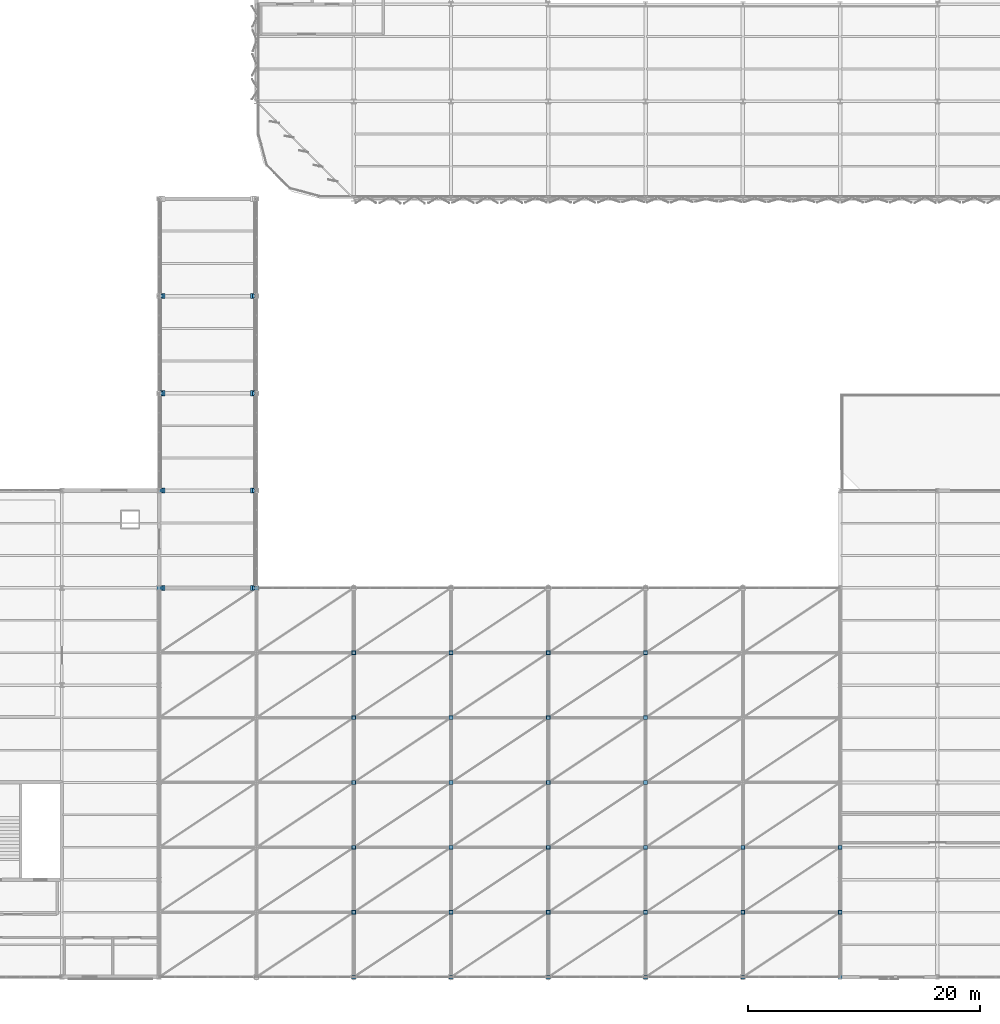
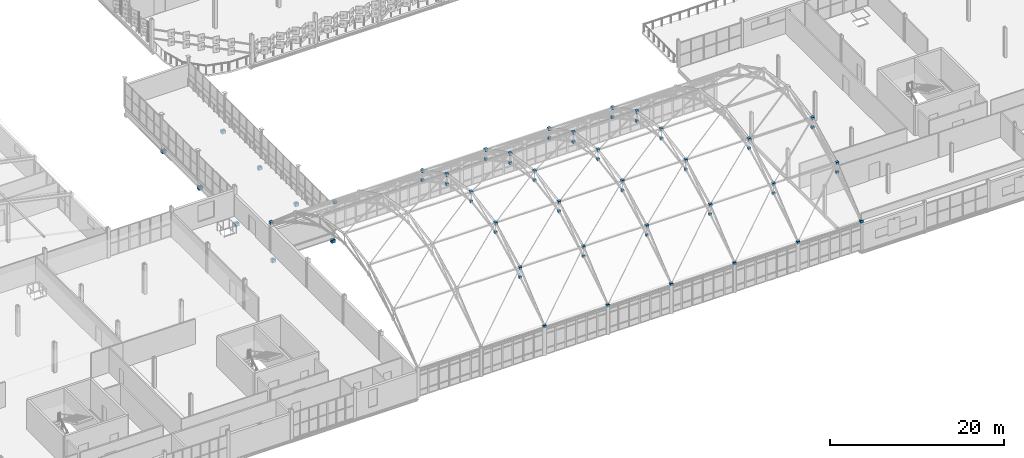
# One storey, part 165 of 184: 72 discrete accessories.
"""IFC4 building model written with IfcOpenShell, lengths in metres."""

from ifc_helpers import new_model, si_unit, direction, frame, origin, origin_2d, place, context, subcontext, project, spatial, rectangle, extrude, material, type_object, element, save


model = new_model("IFC4")

# Units and contexts
model_context = context("Model", 3, precision=1e-05, world=origin(), true_north=direction((0.0, 1.0)))
body_context = subcontext(model_context, "Body", "Model", "MODEL_VIEW")
ifc_project = project(units=[si_unit("LENGTHUNIT", "METRE"), si_unit("AREAUNIT", "SQUARE_METRE"), si_unit("VOLUMEUNIT", "CUBIC_METRE"), si_unit("PLANEANGLEUNIT", "RADIAN"), si_unit("MASSUNIT", "GRAM", prefix="KILO")], contexts=[model_context])

# Site, building, storey
site_placement = place(None, origin())
site = spatial("IfcSite", under=ifc_project, at=site_placement, CompositionType="ELEMENT")
building_placement = place(site_placement, origin())
building = spatial("IfcBuilding", under=site, at=building_placement, Name="Qalvenar Corner Mobility Hub", CompositionType="ELEMENT")
storey_placement = place(building_placement, frame((0.0, 0.0, 9.0)))
storey = spatial("IfcBuildingStorey", under=building, at=storey_placement, Name="L02", CompositionType="ELEMENT", Elevation=9.0)

# Discrete accessories
ifc_material = material(Name="Steel S355", Category="steel")
discrete_accessory_type_1 = type_object("IfcDiscreteAccessoryType", Name="ACC-BRG-CORBEL", PredefinedType="SHOE", material=ifc_material)
for number, where, z_axis, x_axis, name in (
    (1, (50.64990234375, 33.60009765625, -1.530029296875), (0.0, 0.0, 1.0), (1.0, 0.0, 0.0), "Link Bridge 500mm Seated Corbel L02-W-33"),
    (2, (58.550048828125, 33.60009765625, -1.530029296875), (0.0, 0.0, 1.0), (1.0, 0.0, 0.0), "Link Bridge 500mm Seated Corbel L02-E-33"),
    (3, (50.64990234375, 42.0, -1.530029296875), (0.0, 0.0, 1.0), (1.0, 0.0, 0.0), "Link Bridge 500mm Seated Corbel L02-W-42"),
    (4, (58.550048828125, 42.0, -1.530029296875), (0.0, 0.0, 1.0), (1.0, 0.0, 0.0), "Link Bridge 500mm Seated Corbel L02-E-42"),
    (5, (50.64990234375, 50.39990234375, -1.530029296875), (0.0, 0.0, 1.0), (1.0, 0.0, 0.0), "Link Bridge 500mm Seated Corbel L02-W-50"),
    (6, (58.550048828125, 50.39990234375, -1.530029296875), (0.0, 0.0, 1.0), (1.0, 0.0, 0.0), "Link Bridge 500mm Seated Corbel L02-E-50"),
    (7, (50.64990234375, 58.800048828125, -1.530029296875), (0.0, 0.0, 1.0), (1.0, 0.0, 0.0), "Link Bridge 500mm Seated Corbel L02-W-58"),
    (8, (58.550048828125, 58.800048828125, -1.530029296875), (0.0, 0.0, 1.0), (1.0, 0.0, 0.0), "Link Bridge 500mm Seated Corbel L02-E-58"),
):
    element("IfcDiscreteAccessory", number, at=place(storey_placement, frame(where, z_axis=z_axis, x_axis=x_axis)), inside=storey, type_object=discrete_accessory_type_1, Name=name, PredefinedType="SHOE", context=body_context, shape_type="SweptSolid", body=[
        extrude(rectangle(XDim=0.5, YDim=0.449951171875, at=origin_2d()), origin(), (0.0, 0.0, 1.0), 0.419921875),
    ])
discrete_accessory_type_2 = type_object("IfcDiscreteAccessoryType", Name="ACC-BRG-PAD", PredefinedType="SHOE", material=ifc_material)
for number, where, z_axis, x_axis, name in (
    (9, (50.64990234375, 33.60009765625, -1.125), (0.0, 0.0, 1.0), (1.0, 0.0, 0.0), "Link Bridge 200mm Sliding Bearing L02-W-33"),
    (10, (58.550048828125, 33.60009765625, -1.125), (0.0, 0.0, 1.0), (1.0, 0.0, 0.0), "Link Bridge 200mm Sliding Bearing L02-E-33"),
    (11, (50.64990234375, 42.0, -1.125), (0.0, 0.0, 1.0), (1.0, 0.0, 0.0), "Link Bridge 200mm Sliding Bearing L02-W-42"),
    (12, (58.550048828125, 42.0, -1.125), (0.0, 0.0, 1.0), (1.0, 0.0, 0.0), "Link Bridge 200mm Sliding Bearing L02-E-42"),
    (13, (50.64990234375, 50.39990234375, -1.125), (0.0, 0.0, 1.0), (1.0, 0.0, 0.0), "Link Bridge 200mm Sliding Bearing L02-W-50"),
    (14, (58.550048828125, 50.39990234375, -1.125), (0.0, 0.0, 1.0), (1.0, 0.0, 0.0), "Link Bridge 200mm Sliding Bearing L02-E-50"),
    (15, (50.64990234375, 58.800048828125, -1.125), (0.0, 0.0, 1.0), (1.0, 0.0, 0.0), "Link Bridge 200mm Sliding Bearing L02-W-58"),
    (16, (58.550048828125, 58.800048828125, -1.125), (0.0, 0.0, 1.0), (1.0, 0.0, 0.0), "Link Bridge 200mm Sliding Bearing L02-E-58"),
):
    element("IfcDiscreteAccessory", number, at=place(storey_placement, frame(where, z_axis=z_axis, x_axis=x_axis)), inside=storey, type_object=discrete_accessory_type_2, Name=name, PredefinedType="SHOE", context=body_context, shape_type="SweptSolid", body=[
        extrude(rectangle(XDim=0.199951171875, YDim=0.35009765625, at=origin_2d()), origin(), (0.0, 0.0, 1.0), 0.06005859375),
    ])
discrete_accessory_type_3 = type_object("IfcDiscreteAccessoryType", Name="ACC-SF-NODE", PredefinedType="BRACKET", material=ifc_material)
for number, where, z_axis, x_axis, name in (
    (17, (50.39990234375, 33.60009765625, 3.8798828125), (0.0, 0.0, 1.0), (1.0, 0.0, 0.0), "Space Frame Spherical Node SFN-T-50-34"),
    (18, (58.800048828125, 33.60009765625, 3.8798828125), (0.0, 0.0, 1.0), (1.0, 0.0, 0.0), "Space Frame Spherical Node SFN-T-58-34"),
    (19, (67.199951171875, 0.0, 3.8798828125), (0.0, 0.0, 1.0), (1.0, 0.0, 0.0), "Space Frame Spherical Node SFN-T-67-0"),
    (20, (67.199951171875, 5.60009765625, 8.65771484375), (0.0, 0.0, 1.0), (1.0, 0.0, 0.0), "Space Frame Spherical Node SFN-T-67-6"),
):
    element("IfcDiscreteAccessory", number, at=place(storey_placement, frame(where, z_axis=z_axis, x_axis=x_axis)), inside=storey, type_object=discrete_accessory_type_3, Name=name, PredefinedType="BRACKET", context=body_context, shape_type="SweptSolid", body=[
        extrude(rectangle(XDim=0.360107421875, YDim=0.360107421875, at=origin_2d()), origin(), (0.0, 0.0, 1.0), 0.360107421875),
    ])
discrete_accessory_1_placement = place(storey_placement, frame((67.199951171875, 5.60009765625, 7.3779296875), z_axis=(0.0, 0.0, 1.0), x_axis=(1.0, 0.0, 0.0)))
element("IfcDiscreteAccessory", 21, at=discrete_accessory_1_placement, inside=storey, type_object=discrete_accessory_type_3, Name="Space Frame Bottom Node SFN-B-67-6", PredefinedType="BRACKET", context=body_context, shape_type="SweptSolid", body=[
    extrude(rectangle(XDim=0.320068359375, YDim=0.320068359375, at=origin_2d()), origin(), (0.0, 0.0, 1.0), 0.320068359375),
])
discrete_accessory_2_placement = place(storey_placement, frame((67.199951171875, 11.199951171875, 11.5244140625), z_axis=(0.0, 0.0, 1.0), x_axis=(1.0, 0.0, 0.0)))
element("IfcDiscreteAccessory", 22, at=discrete_accessory_2_placement, inside=storey, type_object=discrete_accessory_type_3, Name="Space Frame Spherical Node SFN-T-67-11", PredefinedType="BRACKET", context=body_context, shape_type="SweptSolid", body=[
    extrude(rectangle(XDim=0.360107421875, YDim=0.360107421875, at=origin_2d()), origin(), (0.0, 0.0, 1.0), 0.360107421875),
])
discrete_accessory_3_placement = place(storey_placement, frame((67.199951171875, 11.199951171875, 10.244140625), z_axis=(0.0, 0.0, 1.0), x_axis=(1.0, 0.0, 0.0)))
element("IfcDiscreteAccessory", 23, at=discrete_accessory_3_placement, inside=storey, type_object=discrete_accessory_type_3, Name="Space Frame Bottom Node SFN-B-67-11", PredefinedType="BRACKET", context=body_context, shape_type="SweptSolid", body=[
    extrude(rectangle(XDim=0.320068359375, YDim=0.320068359375, at=origin_2d()), origin(), (0.0, 0.0, 1.0), 0.320068359375),
])
discrete_accessory_4_placement = place(storey_placement, frame((67.199951171875, 16.800048828125, 12.47998046875), z_axis=(0.0, 0.0, 1.0), x_axis=(1.0, 0.0, 0.0)))
element("IfcDiscreteAccessory", 24, at=discrete_accessory_4_placement, inside=storey, type_object=discrete_accessory_type_3, Name="Space Frame Spherical Node SFN-T-67-17", PredefinedType="BRACKET", context=body_context, shape_type="SweptSolid", body=[
    extrude(rectangle(XDim=0.360107421875, YDim=0.360107421875, at=origin_2d()), origin(), (0.0, 0.0, 1.0), 0.360107421875),
])
discrete_accessory_5_placement = place(storey_placement, frame((67.199951171875, 16.800048828125, 11.2001953125), z_axis=(0.0, 0.0, 1.0), x_axis=(1.0, 0.0, 0.0)))
element("IfcDiscreteAccessory", 25, at=discrete_accessory_5_placement, inside=storey, type_object=discrete_accessory_type_3, Name="Space Frame Bottom Node SFN-B-67-17", PredefinedType="BRACKET", context=body_context, shape_type="SweptSolid", body=[
    extrude(rectangle(XDim=0.320068359375, YDim=0.320068359375, at=origin_2d()), origin(), (0.0, 0.0, 1.0), 0.320068359375),
])
discrete_accessory_6_placement = place(storey_placement, frame((67.199951171875, 22.39990234375, 11.5244140625), z_axis=(0.0, 0.0, 1.0), x_axis=(1.0, 0.0, 0.0)))
element("IfcDiscreteAccessory", 26, at=discrete_accessory_6_placement, inside=storey, type_object=discrete_accessory_type_3, Name="Space Frame Spherical Node SFN-T-67-22", PredefinedType="BRACKET", context=body_context, shape_type="SweptSolid", body=[
    extrude(rectangle(XDim=0.360107421875, YDim=0.360107421875, at=origin_2d()), origin(), (0.0, 0.0, 1.0), 0.360107421875),
])
discrete_accessory_7_placement = place(storey_placement, frame((67.199951171875, 22.39990234375, 10.244140625), z_axis=(0.0, 0.0, 1.0), x_axis=(1.0, 0.0, 0.0)))
element("IfcDiscreteAccessory", 27, at=discrete_accessory_7_placement, inside=storey, type_object=discrete_accessory_type_3, Name="Space Frame Bottom Node SFN-B-67-22", PredefinedType="BRACKET", context=body_context, shape_type="SweptSolid", body=[
    extrude(rectangle(XDim=0.320068359375, YDim=0.320068359375, at=origin_2d()), origin(), (0.0, 0.0, 1.0), 0.320068359375),
])
discrete_accessory_8_placement = place(storey_placement, frame((67.199951171875, 28.0, 8.65771484375), z_axis=(0.0, 0.0, 1.0), x_axis=(1.0, 0.0, 0.0)))
element("IfcDiscreteAccessory", 28, at=discrete_accessory_8_placement, inside=storey, type_object=discrete_accessory_type_3, Name="Space Frame Spherical Node SFN-T-67-28", PredefinedType="BRACKET", context=body_context, shape_type="SweptSolid", body=[
    extrude(rectangle(XDim=0.360107421875, YDim=0.360107421875, at=origin_2d()), origin(), (0.0, 0.0, 1.0), 0.360107421875),
])
discrete_accessory_9_placement = place(storey_placement, frame((67.199951171875, 28.0, 7.3779296875), z_axis=(0.0, 0.0, 1.0), x_axis=(1.0, 0.0, 0.0)))
element("IfcDiscreteAccessory", 29, at=discrete_accessory_9_placement, inside=storey, type_object=discrete_accessory_type_3, Name="Space Frame Bottom Node SFN-B-67-28", PredefinedType="BRACKET", context=body_context, shape_type="SweptSolid", body=[
    extrude(rectangle(XDim=0.320068359375, YDim=0.320068359375, at=origin_2d()), origin(), (0.0, 0.0, 1.0), 0.320068359375),
])
for number, where, z_axis, x_axis, name in (
    (30, (75.60009765625, 0.0, 3.8798828125), (0.0, 0.0, 1.0), (1.0, 0.0, 0.0), "Space Frame Spherical Node SFN-T-75-0"),
    (31, (75.60009765625, 5.60009765625, 8.65771484375), (0.0, 0.0, 1.0), (1.0, 0.0, 0.0), "Space Frame Spherical Node SFN-T-75-6"),
):
    element("IfcDiscreteAccessory", number, at=place(storey_placement, frame(where, z_axis=z_axis, x_axis=x_axis)), inside=storey, type_object=discrete_accessory_type_3, Name=name, PredefinedType="BRACKET", context=body_context, shape_type="SweptSolid", body=[
        extrude(rectangle(XDim=0.360107421875, YDim=0.360107421875, at=origin_2d()), origin(), (0.0, 0.0, 1.0), 0.360107421875),
    ])
discrete_accessory_10_placement = place(storey_placement, frame((75.60009765625, 5.60009765625, 7.3779296875), z_axis=(0.0, 0.0, 1.0), x_axis=(1.0, 0.0, 0.0)))
element("IfcDiscreteAccessory", 32, at=discrete_accessory_10_placement, inside=storey, type_object=discrete_accessory_type_3, Name="Space Frame Bottom Node SFN-B-75-6", PredefinedType="BRACKET", context=body_context, shape_type="SweptSolid", body=[
    extrude(rectangle(XDim=0.320068359375, YDim=0.320068359375, at=origin_2d()), origin(), (0.0, 0.0, 1.0), 0.320068359375),
])
discrete_accessory_11_placement = place(storey_placement, frame((75.60009765625, 11.199951171875, 11.5244140625), z_axis=(0.0, 0.0, 1.0), x_axis=(1.0, 0.0, 0.0)))
element("IfcDiscreteAccessory", 33, at=discrete_accessory_11_placement, inside=storey, type_object=discrete_accessory_type_3, Name="Space Frame Spherical Node SFN-T-75-11", PredefinedType="BRACKET", context=body_context, shape_type="SweptSolid", body=[
    extrude(rectangle(XDim=0.360107421875, YDim=0.360107421875, at=origin_2d()), origin(), (0.0, 0.0, 1.0), 0.360107421875),
])
discrete_accessory_12_placement = place(storey_placement, frame((75.60009765625, 11.199951171875, 10.244140625), z_axis=(0.0, 0.0, 1.0), x_axis=(1.0, 0.0, 0.0)))
element("IfcDiscreteAccessory", 34, at=discrete_accessory_12_placement, inside=storey, type_object=discrete_accessory_type_3, Name="Space Frame Bottom Node SFN-B-75-11", PredefinedType="BRACKET", context=body_context, shape_type="SweptSolid", body=[
    extrude(rectangle(XDim=0.320068359375, YDim=0.320068359375, at=origin_2d()), origin(), (0.0, 0.0, 1.0), 0.320068359375),
])
discrete_accessory_13_placement = place(storey_placement, frame((75.60009765625, 16.800048828125, 12.47998046875), z_axis=(0.0, 0.0, 1.0), x_axis=(1.0, 0.0, 0.0)))
element("IfcDiscreteAccessory", 35, at=discrete_accessory_13_placement, inside=storey, type_object=discrete_accessory_type_3, Name="Space Frame Spherical Node SFN-T-75-17", PredefinedType="BRACKET", context=body_context, shape_type="SweptSolid", body=[
    extrude(rectangle(XDim=0.360107421875, YDim=0.360107421875, at=origin_2d()), origin(), (0.0, 0.0, 1.0), 0.360107421875),
])
discrete_accessory_14_placement = place(storey_placement, frame((75.60009765625, 16.800048828125, 11.2001953125), z_axis=(0.0, 0.0, 1.0), x_axis=(1.0, 0.0, 0.0)))
element("IfcDiscreteAccessory", 36, at=discrete_accessory_14_placement, inside=storey, type_object=discrete_accessory_type_3, Name="Space Frame Bottom Node SFN-B-75-17", PredefinedType="BRACKET", context=body_context, shape_type="SweptSolid", body=[
    extrude(rectangle(XDim=0.320068359375, YDim=0.320068359375, at=origin_2d()), origin(), (0.0, 0.0, 1.0), 0.320068359375),
])
discrete_accessory_15_placement = place(storey_placement, frame((75.60009765625, 22.39990234375, 11.5244140625), z_axis=(0.0, 0.0, 1.0), x_axis=(1.0, 0.0, 0.0)))
element("IfcDiscreteAccessory", 37, at=discrete_accessory_15_placement, inside=storey, type_object=discrete_accessory_type_3, Name="Space Frame Spherical Node SFN-T-75-22", PredefinedType="BRACKET", context=body_context, shape_type="SweptSolid", body=[
    extrude(rectangle(XDim=0.360107421875, YDim=0.360107421875, at=origin_2d()), origin(), (0.0, 0.0, 1.0), 0.360107421875),
])
discrete_accessory_16_placement = place(storey_placement, frame((75.60009765625, 22.39990234375, 10.244140625), z_axis=(0.0, 0.0, 1.0), x_axis=(1.0, 0.0, 0.0)))
element("IfcDiscreteAccessory", 38, at=discrete_accessory_16_placement, inside=storey, type_object=discrete_accessory_type_3, Name="Space Frame Bottom Node SFN-B-75-22", PredefinedType="BRACKET", context=body_context, shape_type="SweptSolid", body=[
    extrude(rectangle(XDim=0.320068359375, YDim=0.320068359375, at=origin_2d()), origin(), (0.0, 0.0, 1.0), 0.320068359375),
])
discrete_accessory_17_placement = place(storey_placement, frame((75.60009765625, 28.0, 8.65771484375), z_axis=(0.0, 0.0, 1.0), x_axis=(1.0, 0.0, 0.0)))
element("IfcDiscreteAccessory", 39, at=discrete_accessory_17_placement, inside=storey, type_object=discrete_accessory_type_3, Name="Space Frame Spherical Node SFN-T-75-28", PredefinedType="BRACKET", context=body_context, shape_type="SweptSolid", body=[
    extrude(rectangle(XDim=0.360107421875, YDim=0.360107421875, at=origin_2d()), origin(), (0.0, 0.0, 1.0), 0.360107421875),
])
discrete_accessory_18_placement = place(storey_placement, frame((75.60009765625, 28.0, 7.3779296875), z_axis=(0.0, 0.0, 1.0), x_axis=(1.0, 0.0, 0.0)))
element("IfcDiscreteAccessory", 40, at=discrete_accessory_18_placement, inside=storey, type_object=discrete_accessory_type_3, Name="Space Frame Bottom Node SFN-B-75-28", PredefinedType="BRACKET", context=body_context, shape_type="SweptSolid", body=[
    extrude(rectangle(XDim=0.320068359375, YDim=0.320068359375, at=origin_2d()), origin(), (0.0, 0.0, 1.0), 0.320068359375),
])
for number, where, z_axis, x_axis, name in (
    (41, (84.0, 0.0, 3.8798828125), (0.0, 0.0, 1.0), (1.0, 0.0, 0.0), "Space Frame Spherical Node SFN-T-84-0"),
    (42, (84.0, 5.60009765625, 8.65771484375), (0.0, 0.0, 1.0), (1.0, 0.0, 0.0), "Space Frame Spherical Node SFN-T-84-6"),
):
    element("IfcDiscreteAccessory", number, at=place(storey_placement, frame(where, z_axis=z_axis, x_axis=x_axis)), inside=storey, type_object=discrete_accessory_type_3, Name=name, PredefinedType="BRACKET", context=body_context, shape_type="SweptSolid", body=[
        extrude(rectangle(XDim=0.360107421875, YDim=0.360107421875, at=origin_2d()), origin(), (0.0, 0.0, 1.0), 0.360107421875),
    ])
discrete_accessory_19_placement = place(storey_placement, frame((84.0, 5.60009765625, 7.3779296875), z_axis=(0.0, 0.0, 1.0), x_axis=(1.0, 0.0, 0.0)))
element("IfcDiscreteAccessory", 43, at=discrete_accessory_19_placement, inside=storey, type_object=discrete_accessory_type_3, Name="Space Frame Bottom Node SFN-B-84-6", PredefinedType="BRACKET", context=body_context, shape_type="SweptSolid", body=[
    extrude(rectangle(XDim=0.320068359375, YDim=0.320068359375, at=origin_2d()), origin(), (0.0, 0.0, 1.0), 0.320068359375),
])
discrete_accessory_20_placement = place(storey_placement, frame((84.0, 11.199951171875, 11.5244140625), z_axis=(0.0, 0.0, 1.0), x_axis=(1.0, 0.0, 0.0)))
element("IfcDiscreteAccessory", 44, at=discrete_accessory_20_placement, inside=storey, type_object=discrete_accessory_type_3, Name="Space Frame Spherical Node SFN-T-84-11", PredefinedType="BRACKET", context=body_context, shape_type="SweptSolid", body=[
    extrude(rectangle(XDim=0.360107421875, YDim=0.360107421875, at=origin_2d()), origin(), (0.0, 0.0, 1.0), 0.360107421875),
])
discrete_accessory_21_placement = place(storey_placement, frame((84.0, 11.199951171875, 10.244140625), z_axis=(0.0, 0.0, 1.0), x_axis=(1.0, 0.0, 0.0)))
element("IfcDiscreteAccessory", 45, at=discrete_accessory_21_placement, inside=storey, type_object=discrete_accessory_type_3, Name="Space Frame Bottom Node SFN-B-84-11", PredefinedType="BRACKET", context=body_context, shape_type="SweptSolid", body=[
    extrude(rectangle(XDim=0.320068359375, YDim=0.320068359375, at=origin_2d()), origin(), (0.0, 0.0, 1.0), 0.320068359375),
])
discrete_accessory_22_placement = place(storey_placement, frame((84.0, 16.800048828125, 12.47998046875), z_axis=(0.0, 0.0, 1.0), x_axis=(1.0, 0.0, 0.0)))
element("IfcDiscreteAccessory", 46, at=discrete_accessory_22_placement, inside=storey, type_object=discrete_accessory_type_3, Name="Space Frame Spherical Node SFN-T-84-17", PredefinedType="BRACKET", context=body_context, shape_type="SweptSolid", body=[
    extrude(rectangle(XDim=0.360107421875, YDim=0.360107421875, at=origin_2d()), origin(), (0.0, 0.0, 1.0), 0.360107421875),
])
discrete_accessory_23_placement = place(storey_placement, frame((84.0, 16.800048828125, 11.2001953125), z_axis=(0.0, 0.0, 1.0), x_axis=(1.0, 0.0, 0.0)))
element("IfcDiscreteAccessory", 47, at=discrete_accessory_23_placement, inside=storey, type_object=discrete_accessory_type_3, Name="Space Frame Bottom Node SFN-B-84-17", PredefinedType="BRACKET", context=body_context, shape_type="SweptSolid", body=[
    extrude(rectangle(XDim=0.320068359375, YDim=0.320068359375, at=origin_2d()), origin(), (0.0, 0.0, 1.0), 0.320068359375),
])
discrete_accessory_24_placement = place(storey_placement, frame((84.0, 22.39990234375, 11.5244140625), z_axis=(0.0, 0.0, 1.0), x_axis=(1.0, 0.0, 0.0)))
element("IfcDiscreteAccessory", 48, at=discrete_accessory_24_placement, inside=storey, type_object=discrete_accessory_type_3, Name="Space Frame Spherical Node SFN-T-84-22", PredefinedType="BRACKET", context=body_context, shape_type="SweptSolid", body=[
    extrude(rectangle(XDim=0.360107421875, YDim=0.360107421875, at=origin_2d()), origin(), (0.0, 0.0, 1.0), 0.360107421875),
])
discrete_accessory_25_placement = place(storey_placement, frame((84.0, 22.39990234375, 10.244140625), z_axis=(0.0, 0.0, 1.0), x_axis=(1.0, 0.0, 0.0)))
element("IfcDiscreteAccessory", 49, at=discrete_accessory_25_placement, inside=storey, type_object=discrete_accessory_type_3, Name="Space Frame Bottom Node SFN-B-84-22", PredefinedType="BRACKET", context=body_context, shape_type="SweptSolid", body=[
    extrude(rectangle(XDim=0.320068359375, YDim=0.320068359375, at=origin_2d()), origin(), (0.0, 0.0, 1.0), 0.320068359375),
])
discrete_accessory_26_placement = place(storey_placement, frame((84.0, 28.0, 8.65771484375), z_axis=(0.0, 0.0, 1.0), x_axis=(1.0, 0.0, 0.0)))
element("IfcDiscreteAccessory", 50, at=discrete_accessory_26_placement, inside=storey, type_object=discrete_accessory_type_3, Name="Space Frame Spherical Node SFN-T-84-28", PredefinedType="BRACKET", context=body_context, shape_type="SweptSolid", body=[
    extrude(rectangle(XDim=0.360107421875, YDim=0.360107421875, at=origin_2d()), origin(), (0.0, 0.0, 1.0), 0.360107421875),
])
discrete_accessory_27_placement = place(storey_placement, frame((84.0, 28.0, 7.3779296875), z_axis=(0.0, 0.0, 1.0), x_axis=(1.0, 0.0, 0.0)))
element("IfcDiscreteAccessory", 51, at=discrete_accessory_27_placement, inside=storey, type_object=discrete_accessory_type_3, Name="Space Frame Bottom Node SFN-B-84-28", PredefinedType="BRACKET", context=body_context, shape_type="SweptSolid", body=[
    extrude(rectangle(XDim=0.320068359375, YDim=0.320068359375, at=origin_2d()), origin(), (0.0, 0.0, 1.0), 0.320068359375),
])
for number, where, z_axis, x_axis, name in (
    (52, (92.39990234375, 0.0, 3.8798828125), (0.0, 0.0, 1.0), (1.0, 0.0, 0.0), "Space Frame Spherical Node SFN-T-92-0"),
    (53, (92.39990234375, 5.60009765625, 8.65771484375), (0.0, 0.0, 1.0), (1.0, 0.0, 0.0), "Space Frame Spherical Node SFN-T-92-6"),
):
    element("IfcDiscreteAccessory", number, at=place(storey_placement, frame(where, z_axis=z_axis, x_axis=x_axis)), inside=storey, type_object=discrete_accessory_type_3, Name=name, PredefinedType="BRACKET", context=body_context, shape_type="SweptSolid", body=[
        extrude(rectangle(XDim=0.360107421875, YDim=0.360107421875, at=origin_2d()), origin(), (0.0, 0.0, 1.0), 0.360107421875),
    ])
discrete_accessory_28_placement = place(storey_placement, frame((92.39990234375, 5.60009765625, 7.3779296875), z_axis=(0.0, 0.0, 1.0), x_axis=(1.0, 0.0, 0.0)))
element("IfcDiscreteAccessory", 54, at=discrete_accessory_28_placement, inside=storey, type_object=discrete_accessory_type_3, Name="Space Frame Bottom Node SFN-B-92-6", PredefinedType="BRACKET", context=body_context, shape_type="SweptSolid", body=[
    extrude(rectangle(XDim=0.320068359375, YDim=0.320068359375, at=origin_2d()), origin(), (0.0, 0.0, 1.0), 0.320068359375),
])
discrete_accessory_29_placement = place(storey_placement, frame((92.39990234375, 11.199951171875, 11.5244140625), z_axis=(0.0, 0.0, 1.0), x_axis=(1.0, 0.0, 0.0)))
element("IfcDiscreteAccessory", 55, at=discrete_accessory_29_placement, inside=storey, type_object=discrete_accessory_type_3, Name="Space Frame Spherical Node SFN-T-92-11", PredefinedType="BRACKET", context=body_context, shape_type="SweptSolid", body=[
    extrude(rectangle(XDim=0.360107421875, YDim=0.360107421875, at=origin_2d()), origin(), (0.0, 0.0, 1.0), 0.360107421875),
])
discrete_accessory_30_placement = place(storey_placement, frame((92.39990234375, 11.199951171875, 10.244140625), z_axis=(0.0, 0.0, 1.0), x_axis=(1.0, 0.0, 0.0)))
element("IfcDiscreteAccessory", 56, at=discrete_accessory_30_placement, inside=storey, type_object=discrete_accessory_type_3, Name="Space Frame Bottom Node SFN-B-92-11", PredefinedType="BRACKET", context=body_context, shape_type="SweptSolid", body=[
    extrude(rectangle(XDim=0.320068359375, YDim=0.320068359375, at=origin_2d()), origin(), (0.0, 0.0, 1.0), 0.320068359375),
])
discrete_accessory_31_placement = place(storey_placement, frame((92.39990234375, 16.800048828125, 12.47998046875), z_axis=(0.0, 0.0, 1.0), x_axis=(1.0, 0.0, 0.0)))
element("IfcDiscreteAccessory", 57, at=discrete_accessory_31_placement, inside=storey, type_object=discrete_accessory_type_3, Name="Space Frame Spherical Node SFN-T-92-17", PredefinedType="BRACKET", context=body_context, shape_type="SweptSolid", body=[
    extrude(rectangle(XDim=0.360107421875, YDim=0.360107421875, at=origin_2d()), origin(), (0.0, 0.0, 1.0), 0.360107421875),
])
discrete_accessory_32_placement = place(storey_placement, frame((92.39990234375, 16.800048828125, 11.2001953125), z_axis=(0.0, 0.0, 1.0), x_axis=(1.0, 0.0, 0.0)))
element("IfcDiscreteAccessory", 58, at=discrete_accessory_32_placement, inside=storey, type_object=discrete_accessory_type_3, Name="Space Frame Bottom Node SFN-B-92-17", PredefinedType="BRACKET", context=body_context, shape_type="SweptSolid", body=[
    extrude(rectangle(XDim=0.320068359375, YDim=0.320068359375, at=origin_2d()), origin(), (0.0, 0.0, 1.0), 0.320068359375),
])
discrete_accessory_33_placement = place(storey_placement, frame((92.39990234375, 22.39990234375, 11.5244140625), z_axis=(0.0, 0.0, 1.0), x_axis=(1.0, 0.0, 0.0)))
element("IfcDiscreteAccessory", 59, at=discrete_accessory_33_placement, inside=storey, type_object=discrete_accessory_type_3, Name="Space Frame Spherical Node SFN-T-92-22", PredefinedType="BRACKET", context=body_context, shape_type="SweptSolid", body=[
    extrude(rectangle(XDim=0.360107421875, YDim=0.360107421875, at=origin_2d()), origin(), (0.0, 0.0, 1.0), 0.360107421875),
])
discrete_accessory_34_placement = place(storey_placement, frame((92.39990234375, 22.39990234375, 10.244140625), z_axis=(0.0, 0.0, 1.0), x_axis=(1.0, 0.0, 0.0)))
element("IfcDiscreteAccessory", 60, at=discrete_accessory_34_placement, inside=storey, type_object=discrete_accessory_type_3, Name="Space Frame Bottom Node SFN-B-92-22", PredefinedType="BRACKET", context=body_context, shape_type="SweptSolid", body=[
    extrude(rectangle(XDim=0.320068359375, YDim=0.320068359375, at=origin_2d()), origin(), (0.0, 0.0, 1.0), 0.320068359375),
])
discrete_accessory_35_placement = place(storey_placement, frame((92.39990234375, 28.0, 8.65771484375), z_axis=(0.0, 0.0, 1.0), x_axis=(1.0, 0.0, 0.0)))
element("IfcDiscreteAccessory", 61, at=discrete_accessory_35_placement, inside=storey, type_object=discrete_accessory_type_3, Name="Space Frame Spherical Node SFN-T-92-28", PredefinedType="BRACKET", context=body_context, shape_type="SweptSolid", body=[
    extrude(rectangle(XDim=0.360107421875, YDim=0.360107421875, at=origin_2d()), origin(), (0.0, 0.0, 1.0), 0.360107421875),
])
discrete_accessory_36_placement = place(storey_placement, frame((92.39990234375, 28.0, 7.3779296875), z_axis=(0.0, 0.0, 1.0), x_axis=(1.0, 0.0, 0.0)))
element("IfcDiscreteAccessory", 62, at=discrete_accessory_36_placement, inside=storey, type_object=discrete_accessory_type_3, Name="Space Frame Bottom Node SFN-B-92-28", PredefinedType="BRACKET", context=body_context, shape_type="SweptSolid", body=[
    extrude(rectangle(XDim=0.320068359375, YDim=0.320068359375, at=origin_2d()), origin(), (0.0, 0.0, 1.0), 0.320068359375),
])
for number, where, z_axis, x_axis, name in (
    (63, (100.800048828125, 0.0, 3.8798828125), (0.0, 0.0, 1.0), (1.0, 0.0, 0.0), "Space Frame Spherical Node SFN-T-100-0"),
    (64, (100.800048828125, 5.60009765625, 8.65771484375), (0.0, 0.0, 1.0), (1.0, 0.0, 0.0), "Space Frame Spherical Node SFN-T-100-6"),
):
    element("IfcDiscreteAccessory", number, at=place(storey_placement, frame(where, z_axis=z_axis, x_axis=x_axis)), inside=storey, type_object=discrete_accessory_type_3, Name=name, PredefinedType="BRACKET", context=body_context, shape_type="SweptSolid", body=[
        extrude(rectangle(XDim=0.360107421875, YDim=0.360107421875, at=origin_2d()), origin(), (0.0, 0.0, 1.0), 0.360107421875),
    ])
discrete_accessory_37_placement = place(storey_placement, frame((100.800048828125, 5.60009765625, 7.3779296875), z_axis=(0.0, 0.0, 1.0), x_axis=(1.0, 0.0, 0.0)))
element("IfcDiscreteAccessory", 65, at=discrete_accessory_37_placement, inside=storey, type_object=discrete_accessory_type_3, Name="Space Frame Bottom Node SFN-B-100-6", PredefinedType="BRACKET", context=body_context, shape_type="SweptSolid", body=[
    extrude(rectangle(XDim=0.320068359375, YDim=0.320068359375, at=origin_2d()), origin(), (0.0, 0.0, 1.0), 0.320068359375),
])
discrete_accessory_38_placement = place(storey_placement, frame((100.800048828125, 11.199951171875, 11.5244140625), z_axis=(0.0, 0.0, 1.0), x_axis=(1.0, 0.0, 0.0)))
element("IfcDiscreteAccessory", 66, at=discrete_accessory_38_placement, inside=storey, type_object=discrete_accessory_type_3, Name="Space Frame Spherical Node SFN-T-100-11", PredefinedType="BRACKET", context=body_context, shape_type="SweptSolid", body=[
    extrude(rectangle(XDim=0.360107421875, YDim=0.360107421875, at=origin_2d()), origin(), (0.0, 0.0, 1.0), 0.360107421875),
])
discrete_accessory_39_placement = place(storey_placement, frame((100.800048828125, 11.199951171875, 10.244140625), z_axis=(0.0, 0.0, 1.0), x_axis=(1.0, 0.0, 0.0)))
element("IfcDiscreteAccessory", 67, at=discrete_accessory_39_placement, inside=storey, type_object=discrete_accessory_type_3, Name="Space Frame Bottom Node SFN-B-100-11", PredefinedType="BRACKET", context=body_context, shape_type="SweptSolid", body=[
    extrude(rectangle(XDim=0.320068359375, YDim=0.320068359375, at=origin_2d()), origin(), (0.0, 0.0, 1.0), 0.320068359375),
])
for number, where, z_axis, x_axis, name in (
    (68, (109.199951171875, 0.0, 3.8798828125), (0.0, 0.0, 1.0), (1.0, 0.0, 0.0), "Space Frame Spherical Node SFN-T-109-0"),
    (69, (109.199951171875, 5.60009765625, 8.65771484375), (0.0, 0.0, 1.0), (1.0, 0.0, 0.0), "Space Frame Spherical Node SFN-T-109-6"),
):
    element("IfcDiscreteAccessory", number, at=place(storey_placement, frame(where, z_axis=z_axis, x_axis=x_axis)), inside=storey, type_object=discrete_accessory_type_3, Name=name, PredefinedType="BRACKET", context=body_context, shape_type="SweptSolid", body=[
        extrude(rectangle(XDim=0.360107421875, YDim=0.360107421875, at=origin_2d()), origin(), (0.0, 0.0, 1.0), 0.360107421875),
    ])
discrete_accessory_40_placement = place(storey_placement, frame((109.199951171875, 5.60009765625, 7.3779296875), z_axis=(0.0, 0.0, 1.0), x_axis=(1.0, 0.0, 0.0)))
element("IfcDiscreteAccessory", 70, at=discrete_accessory_40_placement, inside=storey, type_object=discrete_accessory_type_3, Name="Space Frame Bottom Node SFN-B-109-6", PredefinedType="BRACKET", context=body_context, shape_type="SweptSolid", body=[
    extrude(rectangle(XDim=0.320068359375, YDim=0.320068359375, at=origin_2d()), origin(), (0.0, 0.0, 1.0), 0.320068359375),
])
discrete_accessory_41_placement = place(storey_placement, frame((109.199951171875, 11.199951171875, 11.5244140625), z_axis=(0.0, 0.0, 1.0), x_axis=(1.0, 0.0, 0.0)))
element("IfcDiscreteAccessory", 71, at=discrete_accessory_41_placement, inside=storey, type_object=discrete_accessory_type_3, Name="Space Frame Spherical Node SFN-T-109-11", PredefinedType="BRACKET", context=body_context, shape_type="SweptSolid", body=[
    extrude(rectangle(XDim=0.360107421875, YDim=0.360107421875, at=origin_2d()), origin(), (0.0, 0.0, 1.0), 0.360107421875),
])
discrete_accessory_42_placement = place(storey_placement, frame((109.199951171875, 11.199951171875, 10.244140625), z_axis=(0.0, 0.0, 1.0), x_axis=(1.0, 0.0, 0.0)))
element("IfcDiscreteAccessory", 72, at=discrete_accessory_42_placement, inside=storey, type_object=discrete_accessory_type_3, Name="Space Frame Bottom Node SFN-B-109-11", PredefinedType="BRACKET", context=body_context, shape_type="SweptSolid", body=[
    extrude(rectangle(XDim=0.320068359375, YDim=0.320068359375, at=origin_2d()), origin(), (0.0, 0.0, 1.0), 0.320068359375),
])

save(model, "model.ifc")
